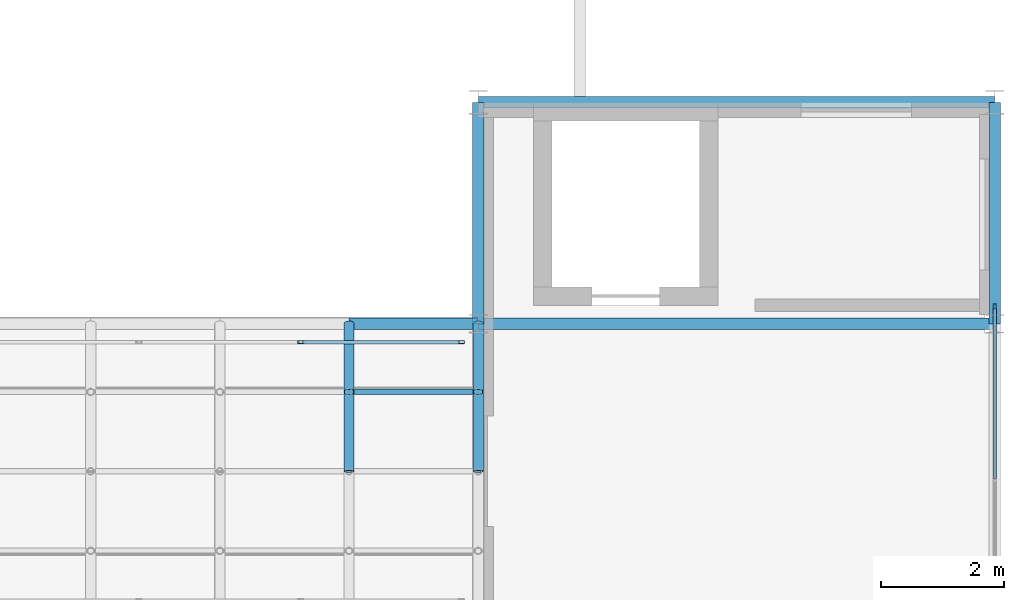
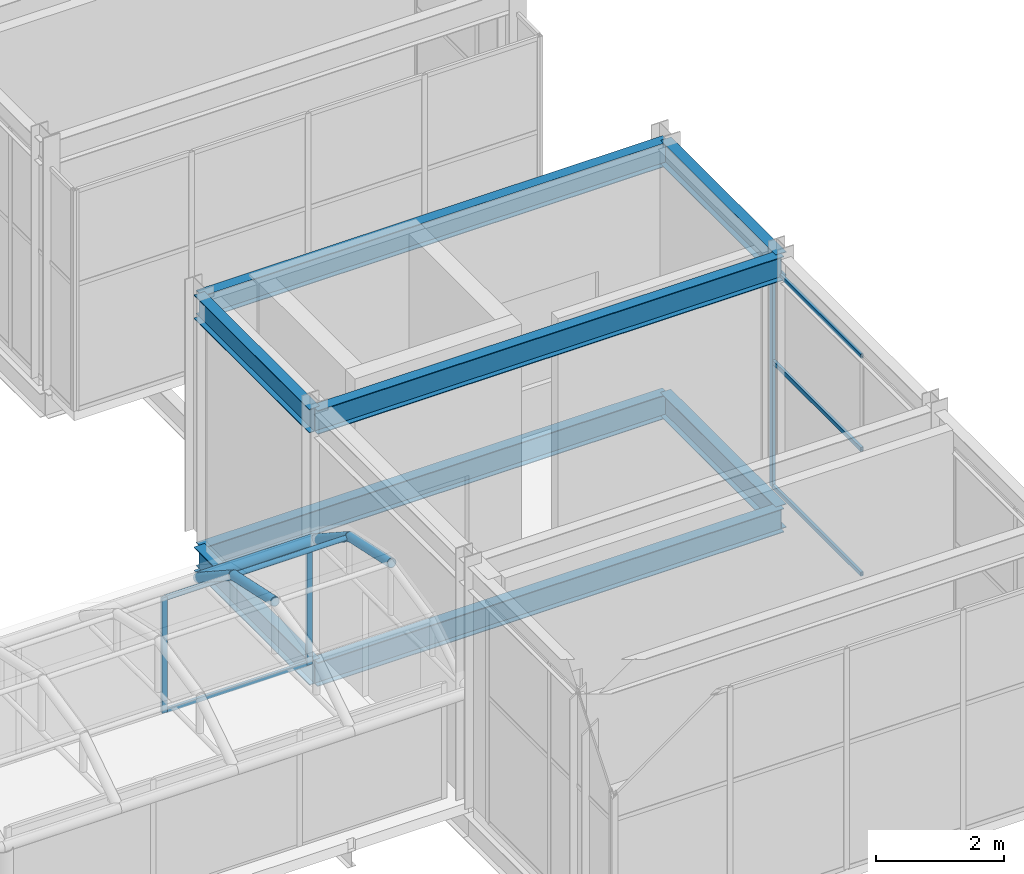
# One storey, part 46 of 167: 14 members, 8 beams, 2 elements without a shape of their own.
"""IFC4 building model written with IfcOpenShell, lengths in metres."""

from ifc_helpers import new_model, si_unit, direction, frame, origin, origin_2d, place, context, subcontext, project, spatial, hollow_rectangle, hollow_circle, i_section, extrude, material, material_profile, profile_set, type_object, element, aggregate, save


model = new_model("IFC4")

# Units and contexts
model_context = context("Model", 3, precision=1e-05, world=origin(), true_north=direction((0.0, 1.0)))
body_context = subcontext(model_context, "Body", "Model", "MODEL_VIEW")
ifc_project = project(units=[si_unit("LENGTHUNIT", "METRE"), si_unit("AREAUNIT", "SQUARE_METRE"), si_unit("VOLUMEUNIT", "CUBIC_METRE"), si_unit("PLANEANGLEUNIT", "RADIAN"), si_unit("MASSUNIT", "GRAM", prefix="KILO")], contexts=[model_context])

# Site, building, storey
site_placement = place(None, origin())
site = spatial("IfcSite", under=ifc_project, at=site_placement, CompositionType="ELEMENT")
building_placement = place(site_placement, origin())
building = spatial("IfcBuilding", under=site, at=building_placement, Name="Catenary Quay Ferry Terminal", CompositionType="ELEMENT")
storey_placement = place(building_placement, frame((0.0, 0.0, 6.0)))
storey = spatial("IfcBuildingStorey", under=building, at=storey_placement, Name="L01", CompositionType="ELEMENT", Elevation=6.0)

# Beams
ifc_material_1 = material(Name="Steel S355", Category="steel")
ifc_material_profile_1 = material_profile(ifc_material_1, i_section(OverallWidth=0.18994140625, OverallDepth=0.453369140625, WebThickness=0.008544921875, FlangeThickness=0.0126953125, at=origin_2d()), Name="UB 457x191x67")
ifc_profile_set_1 = profile_set([ifc_material_profile_1], Name="Steel S355")
beam_type = type_object("IfcBeamType", Name="B1 UB 457x191x67", PredefinedType="BEAM", material=ifc_profile_set_1)
for number, where, z_axis, x_axis, name in (
    (1, (126.0, 78.0, 4.373046875), (1.0, 0.0, 0.0), (0.0, 1.0, 0.0), "Beam B1-035"),
    (2, (126.0, 81.60009765625, 4.373046875), (1.0, 0.0, 0.0), (0.0, 1.0, 0.0), "Beam B1-036"),
):
    element("IfcBeam", number, at=place(storey_placement, frame(where, z_axis=z_axis, x_axis=x_axis)), inside=storey, type_object=beam_type, Name=name, PredefinedType="BEAM", context=body_context, shape_type="SweptSolid", body=[
        extrude(i_section(OverallWidth=0.18994140625, OverallDepth=0.453369140625, WebThickness=0.008544921875, FlangeThickness=0.0126953125, at=origin_2d()), origin(), (0.0, 0.0, 1.0), 8.39990234375),
    ])
for number, where, z_axis, x_axis, name in (
    (3, (126.0, 78.0, 4.373046875), (0.0, 1.0, 0.0), (-1.0, 0.0, 0.0), "Beam B1-039"),
    (4, (134.39990234375, 78.0, 4.373046875), (0.0, 1.0, 0.0), (-1.0, 0.0, 0.0), "Beam B1-042"),
):
    element("IfcBeam", number, at=place(storey_placement, frame(where, z_axis=z_axis, x_axis=x_axis)), inside=storey, type_object=beam_type, Name=name, PredefinedType="BEAM", context=body_context, shape_type="SweptSolid", body=[
        extrude(i_section(OverallWidth=0.18994140625, OverallDepth=0.453369140625, WebThickness=0.008544921875, FlangeThickness=0.0126953125, at=origin_2d()), origin(), (0.0, 0.0, 1.0), 3.60009765625),
    ])
for number, where, z_axis, x_axis, name in (
    (5, (126.0, 78.0, -0.427001953125), (1.0, 0.0, 0.0), (0.0, 1.0, 0.0), "Beam B1-064"),
    (6, (126.0, 81.60009765625, -0.427001953125), (1.0, 0.0, 0.0), (0.0, 1.0, 0.0), "Beam B1-065"),
):
    element("IfcBeam", number, at=place(storey_placement, frame(where, z_axis=z_axis, x_axis=x_axis)), inside=storey, type_object=beam_type, Name=name, PredefinedType="BEAM", context=body_context, shape_type="SweptSolid", body=[
        extrude(i_section(OverallWidth=0.18994140625, OverallDepth=0.453369140625, WebThickness=0.008544921875, FlangeThickness=0.0126953125, at=origin_2d()), origin(), (0.0, 0.0, 1.0), 8.39990234375),
    ])
for number, where, z_axis, x_axis, name in (
    (7, (126.0, 78.0, -0.427001953125), (0.0, 1.0, 0.0), (-1.0, 0.0, 0.0), "Beam B1-068"),
    (8, (134.39990234375, 78.0, -0.427001953125), (0.0, 1.0, 0.0), (-1.0, 0.0, 0.0), "Beam B1-071"),
):
    element("IfcBeam", number, at=place(storey_placement, frame(where, z_axis=z_axis, x_axis=x_axis)), inside=storey, type_object=beam_type, Name=name, PredefinedType="BEAM", context=body_context, shape_type="SweptSolid", body=[
        extrude(i_section(OverallWidth=0.18994140625, OverallDepth=0.453369140625, WebThickness=0.008544921875, FlangeThickness=0.0126953125, at=origin_2d()), origin(), (0.0, 0.0, 1.0), 3.60009765625),
    ])

# Curtain wall, members
ifc_material_2 = material(Name="Aluminium and glass", Category="aluminium")
curtain_wall_type_1 = type_object("IfcCurtainWallType", Name="CWB", PredefinedType="NOTDEFINED", material=ifc_material_2)
curtain_wall_1_placement = place(storey_placement, origin())
curtain_wall_1 = element("IfcCurtainWall", 9, at=curtain_wall_1_placement, inside=storey, type_object=curtain_wall_type_1, Name="BB1 curtain wall CW63", PredefinedType="NOTDEFINED")
ifc_material_3 = material(Name="Aluminium", Category="aluminium")
ifc_material_profile_2 = material_profile(ifc_material_3, hollow_rectangle(XDim=0.050048828125, YDim=0.10009765625, WallThickness=0.0048828125, at=origin_2d()), Name="MU1")
ifc_profile_set_2 = profile_set([ifc_material_profile_2], Name="Aluminium")
member_type_1 = type_object("IfcMemberType", Name="MU1", PredefinedType="MULLION", material=ifc_profile_set_2)
member_1_placement = place(storey_placement, frame((123.11669921875, 77.699951171875, 0.0), z_axis=(0.0, 0.0, 1.0), x_axis=(0.0, 1.0, 0.0)))
member_1 = element("IfcMember", 10, at=member_1_placement, type_object=member_type_1, Name="CW63 mullion 3", PredefinedType="MULLION", context=body_context, shape_type="SweptSolid", body=[
    extrude(hollow_rectangle(XDim=0.050048828125, YDim=0.10009765625, WallThickness=0.0048828125, at=origin_2d()), origin(), (0.0, 0.0, 1.0), 2.195068359375),
])
member_2_placement = place(storey_placement, frame((125.72509765625, 77.699951171875, 0.0), z_axis=(0.0, 0.0, 1.0), x_axis=(0.0, 1.0, 0.0)))
member_2 = element("IfcMember", 11, at=member_2_placement, type_object=member_type_1, Name="CW63 mullion 4", PredefinedType="MULLION", context=body_context, shape_type="SweptSolid", body=[
    extrude(hollow_rectangle(XDim=0.050048828125, YDim=0.10009765625, WallThickness=0.0048828125, at=origin_2d()), origin(), (0.0, 0.0, 1.0), 2.195068359375),
])

# Curtain wall, member
ifc_material_4 = material(Name="Aluminium and glass", Category="aluminium")
curtain_wall_type_2 = type_object("IfcCurtainWallType", Name="CWK", PredefinedType="NOTDEFINED", material=ifc_material_4)
curtain_wall_2_placement = place(storey_placement, origin())
curtain_wall_2 = element("IfcCurtainWall", 12, at=curtain_wall_2_placement, inside=storey, type_object=curtain_wall_type_2, Name="Head berth 1 landing curtain wall CW83", PredefinedType="NOTDEFINED")
member_3_placement = place(storey_placement, frame((134.39990234375, 78.27490234375, 0.0), z_axis=(0.0, 0.0, 1.0), x_axis=(-1.0, 0.0, 0.0)))
member_3 = element("IfcMember", 13, at=member_3_placement, type_object=member_type_1, Name="CW83 mullion 3", PredefinedType="MULLION", context=body_context, shape_type="SweptSolid", body=[
    extrude(hollow_rectangle(XDim=0.050048828125, YDim=0.10009765625, WallThickness=0.0048828125, at=origin_2d()), origin(), (0.0, 0.0, 1.0), 4.199951171875),
])

# Members
ifc_material_5 = material(Name="Steel S355", Category="steel")
ifc_material_profile_3 = material_profile(ifc_material_5, hollow_circle(Radius=0.04443359375, WallThickness=0.0048828125, at=origin_2d()), Name="CHS 88.9x5")
ifc_profile_set_3 = profile_set([ifc_material_profile_3], Name="Steel S355")
member_type_2 = type_object("IfcMemberType", Name="PU3 CHS 88.9x5", PredefinedType="PURLIN", material=ifc_profile_set_3)
member_4_placement = place(storey_placement, frame((123.97998046875, 76.89208984375, 2.821044921875), z_axis=(1.0, 0.0, 0.0), x_axis=(0.0, 1.0, 0.0)))
element("IfcMember", 14, at=member_4_placement, inside=storey, type_object=member_type_2, Name="Purlin PU-RB1-16-03", PredefinedType="PURLIN", context=body_context, shape_type="SweptSolid", body=[
    extrude(hollow_circle(Radius=0.04443359375, WallThickness=0.0048828125, at=origin_2d()), origin(), (0.0, 0.0, 1.0), 1.93994140625),
])
ifc_material_6 = material(Name="Steel S355", Category="steel")
ifc_material_profile_4 = material_profile(ifc_material_6, hollow_circle(Radius=0.096923828125, WallThickness=0.010009765625, at=origin_2d()), Name="CHS 193.7x10")
ifc_profile_set_4 = profile_set([ifc_material_profile_4], Name="Steel S355")
member_type_3 = type_object("IfcMemberType", Name="TC2 CHS 193.7x10", PredefinedType="CHORD", material=ifc_profile_set_4)
member_5_placement = place(storey_placement, frame((123.89990234375, 78.0, 2.10009765625), z_axis=(1.0, 0.0, 0.0), x_axis=(0.0, 1.0, 0.0)))
element("IfcMember", 15, at=member_5_placement, inside=storey, type_object=member_type_3, Name="Bridge top chord BB1N-TC16", PredefinedType="CHORD", context=body_context, shape_type="SweptSolid", body=[
    extrude(hollow_circle(Radius=0.096923828125, WallThickness=0.010009765625, at=origin_2d()), origin(), (0.0, 0.0, 1.0), 2.10009765625),
])

# Member
ifc_material_7 = material(Name="Aluminium", Category="aluminium")
ifc_material_profile_5 = material_profile(ifc_material_7, hollow_rectangle(XDim=0.050048828125, YDim=0.080078125, WallThickness=0.00390625, at=origin_2d()), Name="TR1")
ifc_profile_set_5 = profile_set([ifc_material_profile_5], Name="Aluminium")
member_type_4 = type_object("IfcMemberType", Name="TR1", PredefinedType="USERDEFINED", material=ifc_profile_set_5)
member_6_placement = place(storey_placement, frame((123.1416015625, 77.699951171875, 0.02490234375), z_axis=(1.0, 0.0, 0.0), x_axis=(0.0, 1.0, 0.0)))
member_6 = element("IfcMember", 16, at=member_6_placement, type_object=member_type_4, Name="CW63 transom 3.1", ObjectType="TRANSOM", PredefinedType="USERDEFINED", context=body_context, shape_type="SweptSolid", body=[
    extrude(hollow_rectangle(XDim=0.050048828125, YDim=0.080078125, WallThickness=0.00390625, at=origin_2d()), origin(), (0.0, 0.0, 1.0), 2.558349609375),
])

member_7_placement = place(storey_placement, frame((123.1416015625, 77.699951171875, 2.169921875), z_axis=(1.0, 0.0, 0.0), x_axis=(0.0, 1.0, 0.0)))
member_7 = element("IfcMember", 17, at=member_7_placement, type_object=member_type_4, Name="CW63 transom 3.2", ObjectType="TRANSOM", PredefinedType="USERDEFINED", context=body_context, shape_type="SweptSolid", body=[
    extrude(hollow_rectangle(XDim=0.050048828125, YDim=0.080078125, WallThickness=0.00390625, at=origin_2d()), origin(), (0.0, 0.0, 1.0), 2.558349609375),
])

aggregate(curtain_wall_1, [member_1, member_2, member_6, member_7])

member_8_placement = place(storey_placement, frame((134.39990234375, 75.47509765625, 0.02490234375), z_axis=(0.0, 1.0, 0.0), x_axis=(-1.0, 0.0, 0.0)))
member_8 = element("IfcMember", 18, at=member_8_placement, type_object=member_type_4, Name="CW83 transom 2.1", ObjectType="TRANSOM", PredefinedType="USERDEFINED", context=body_context, shape_type="SweptSolid", body=[
    extrude(hollow_rectangle(XDim=0.050048828125, YDim=0.080078125, WallThickness=0.00390625, at=origin_2d()), origin(), (0.0, 0.0, 1.0), 2.77490234375),
])

member_9_placement = place(storey_placement, frame((134.39990234375, 75.47509765625, 2.39990234375), z_axis=(0.0, 1.0, 0.0), x_axis=(-1.0, 0.0, 0.0)))
member_9 = element("IfcMember", 19, at=member_9_placement, type_object=member_type_4, Name="CW83 transom 2.2", ObjectType="TRANSOM", PredefinedType="USERDEFINED", context=body_context, shape_type="SweptSolid", body=[
    extrude(hollow_rectangle(XDim=0.050048828125, YDim=0.080078125, WallThickness=0.00390625, at=origin_2d()), origin(), (0.0, 0.0, 1.0), 2.77490234375),
])

member_10_placement = place(storey_placement, frame((134.39990234375, 75.47509765625, 4.175048828125), z_axis=(0.0, 1.0, 0.0), x_axis=(-1.0, 0.0, 0.0)))
member_10 = element("IfcMember", 20, at=member_10_placement, type_object=member_type_4, Name="CW83 transom 2.3", ObjectType="TRANSOM", PredefinedType="USERDEFINED", context=body_context, shape_type="SweptSolid", body=[
    extrude(hollow_rectangle(XDim=0.050048828125, YDim=0.080078125, WallThickness=0.00390625, at=origin_2d()), origin(), (0.0, 0.0, 1.0), 2.77490234375),
])

aggregate(curtain_wall_2, [member_3, member_8, member_9, member_10])

# Members
ifc_material_8 = material(Name="Steel S355", Category="steel")
ifc_material_profile_6 = material_profile(ifc_material_8, hollow_circle(Radius=0.084228515625, WallThickness=0.008056640625, at=origin_2d()), Name="CHS 168.3x8")
ifc_profile_set_6 = profile_set([ifc_material_profile_6], Name="Steel S355")
member_type_5 = type_object("IfcMemberType", Name="VR4 CHS 168.3x8", PredefinedType="RAFTER", material=ifc_profile_set_6)
for number, where, z_axis, x_axis, name in (
    (21, (123.89990234375, 75.60009765625, 3.10009765625), (0.0, 0.977460543774, -0.211118178672), (-1.0, 0.0, 0.0), "rib RB1-16-03"),
    (22, (123.89990234375, 76.89208984375, 2.821044921875), (0.0, 0.838164997293, -0.545416755621), (-1.0, 0.0, 0.0), "rib RB1-16-04"),
    (23, (126.0, 75.60009765625, 3.10009765625), (0.0, 0.977460543774, -0.211118178672), (-1.0, 0.0, 0.0), "rib RB1-17-03"),
    (24, (126.0, 76.89208984375, 2.821044921875), (0.0, 0.838164997293, -0.545416755621), (-1.0, 0.0, 0.0), "rib RB1-17-04"),
):
    element("IfcMember", number, at=place(storey_placement, frame(where, z_axis=z_axis, x_axis=x_axis)), inside=storey, type_object=member_type_5, Name=name, PredefinedType="RAFTER", context=body_context, shape_type="SweptSolid", body=[
        extrude(hollow_circle(Radius=0.084228515625, WallThickness=0.008056640625, at=origin_2d()), origin(), (0.0, 0.0, 1.0), 1.32177734375),
    ])

save(model, "model.ifc")
